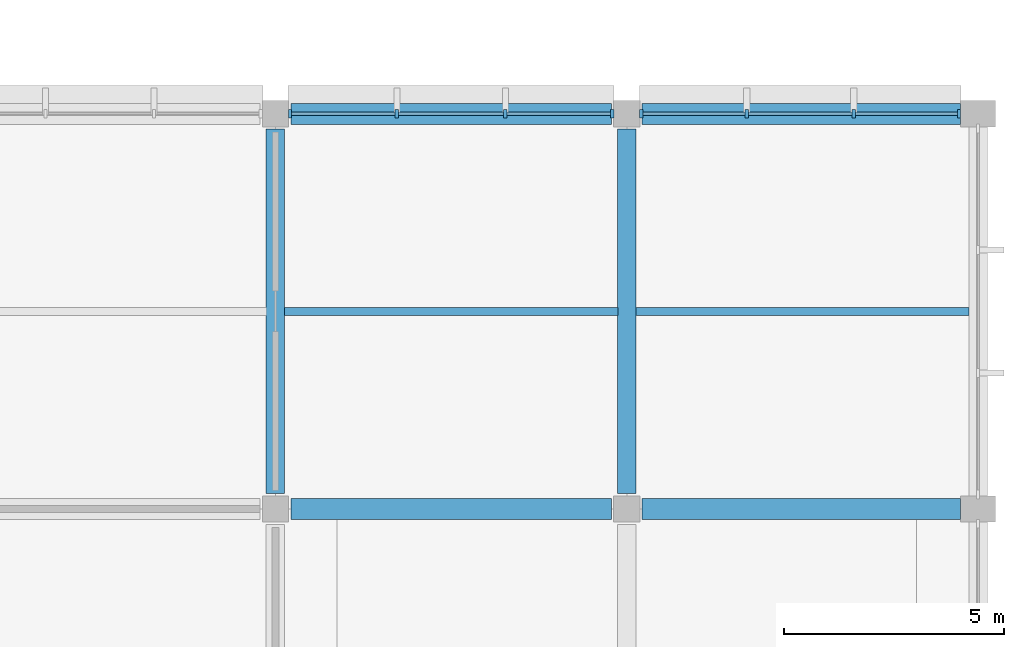
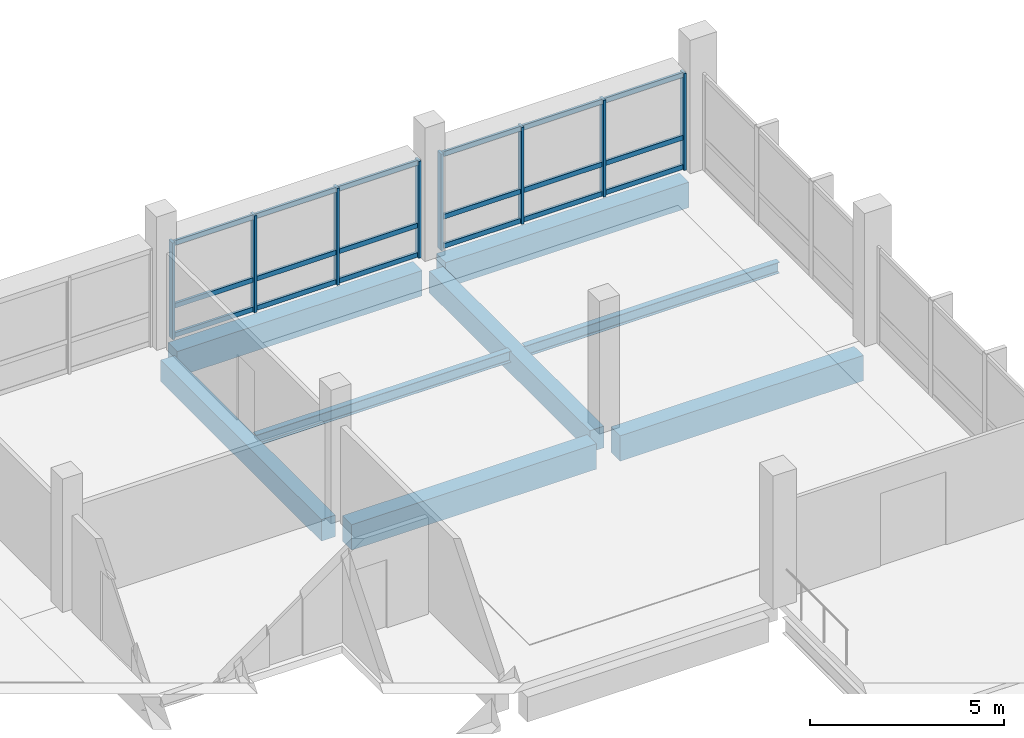
# One storey, part 29 of 57: 26 members, 8 beams, 2 elements without a shape of their own.
"""IFC4 building model written with IfcOpenShell, lengths in metres."""

from ifc_helpers import new_model, si_unit, direction, frame, origin, origin_2d, place, context, subcontext, project, spatial, rectangle, i_section, extrude, material, material_profile, profile_set, type_object, element, aggregate, save


model = new_model("IFC4")

# Units and contexts
model_context = context("Model", 3, precision=1e-05, world=origin(), true_north=direction((0.0, 1.0)))
body_context = subcontext(model_context, "Body", "Model", "MODEL_VIEW")
ifc_project = project(units=[si_unit("LENGTHUNIT", "METRE"), si_unit("AREAUNIT", "SQUARE_METRE"), si_unit("VOLUMEUNIT", "CUBIC_METRE"), si_unit("PLANEANGLEUNIT", "RADIAN"), si_unit("MASSUNIT", "GRAM", prefix="KILO"), si_unit("THERMODYNAMICTEMPERATUREUNIT", "KELVIN"), si_unit("POWERUNIT", "WATT")], contexts=[model_context])

# Site, building, storey
site_placement = place(None, origin())
site = spatial("IfcSite", under=ifc_project, at=site_placement, CompositionType="ELEMENT")
building_placement = place(site_placement, origin())
building = spatial("IfcBuilding", under=site, at=building_placement, Name="Kronsvod Quay Wholesale Market", CompositionType="ELEMENT")
storey_placement = place(building_placement, frame((0.0, 0.0, 4.800048828125)))
storey = spatial("IfcBuildingStorey", under=building, at=storey_placement, Name="L01", CompositionType="ELEMENT", Elevation=4.800048828125)

# Beams
ifc_material_1 = material(Name="Precast concrete C40/50", Category="concrete")
ifc_material_profile_1 = material_profile(ifc_material_1, rectangle(XDim=0.419921875, YDim=0.679931640625, at=origin_2d()), Name="PB-05")
ifc_profile_set_1 = profile_set([ifc_material_profile_1], Name="Precast concrete C40/50")
beam_type_1 = type_object("IfcBeamType", Name="Beam_PCB420x680", PredefinedType="BEAM", material=ifc_profile_set_1)
for number, where, z_axis, x_axis, name in (
    (1, (176.0, 99.35009765625, -0.64013671875), (0.0, 1.0, 0.0), (-1.0, 0.0, 0.0), "BMY-L01-1760-990"),
    (2, (184.0, 99.35009765625, -0.64013671875), (0.0, 1.0, 0.0), (-1.0, 0.0, 0.0), "BMY-L01-1840-990"),
):
    element("IfcBeam", number, at=place(storey_placement, frame(where, z_axis=z_axis, x_axis=x_axis)), inside=storey, type_object=beam_type_1, Name=name, PredefinedType="BEAM", context=body_context, shape_type="SweptSolid", body=[
        extrude(rectangle(XDim=0.419921875, YDim=0.679931640625, at=origin_2d()), origin(), (0.0, 0.0, 1.0), 8.2998046875),
    ])
ifc_material_2 = material(Name="Precast concrete C40/50", Category="concrete")
ifc_material_profile_2 = material_profile(ifc_material_2, rectangle(XDim=0.47998046875, YDim=0.800048828125, at=origin_2d()), Name="PB-04")
ifc_profile_set_2 = profile_set([ifc_material_profile_2], Name="Precast concrete C40/50")
beam_type_2 = type_object("IfcBeamType", Name="Beam_PCB480x800", PredefinedType="BEAM", material=ifc_profile_set_2)
beam_1_placement = place(storey_placement, frame((176.35009765625, 99.0, -0.699951171875), z_axis=(1.0, 0.0, 0.0), x_axis=(0.0, 1.0, 0.0)))
element("IfcBeam", 3, at=beam_1_placement, inside=storey, type_object=beam_type_2, Name="BMX-L01-1760-990", PredefinedType="BEAM", context=body_context, shape_type="SweptSolid", body=[
    extrude(rectangle(XDim=0.47998046875, YDim=0.800048828125, at=origin_2d()), origin(), (0.0, 0.0, 1.0), 7.2998046875),
])
beam_2_placement = place(storey_placement, frame((184.35009765625, 99.0, -0.699951171875), z_axis=(1.0, 0.0, 0.0), x_axis=(0.0, 1.0, 0.0)))
element("IfcBeam", 4, at=beam_2_placement, inside=storey, type_object=beam_type_2, Name="BMX-L01-1840-990", PredefinedType="BEAM", context=body_context, shape_type="SweptSolid", body=[
    extrude(rectangle(XDim=0.47998046875, YDim=0.800048828125, at=origin_2d()), origin(), (0.0, 0.0, 1.0), 7.25),
])
beam_3_placement = place(storey_placement, frame((176.35009765625, 108.0, -0.699951171875), z_axis=(1.0, 0.0, 0.0), x_axis=(0.0, 1.0, 0.0)))
element("IfcBeam", 5, at=beam_3_placement, inside=storey, type_object=beam_type_2, Name="BMX-L01-1760-1080", PredefinedType="BEAM", context=body_context, shape_type="SweptSolid", body=[
    extrude(rectangle(XDim=0.47998046875, YDim=0.800048828125, at=origin_2d()), origin(), (0.0, 0.0, 1.0), 7.2998046875),
])
beam_4_placement = place(storey_placement, frame((184.35009765625, 108.0, -0.699951171875), z_axis=(1.0, 0.0, 0.0), x_axis=(0.0, 1.0, 0.0)))
element("IfcBeam", 6, at=beam_4_placement, inside=storey, type_object=beam_type_2, Name="BMX-L01-1840-1080", PredefinedType="BEAM", context=body_context, shape_type="SweptSolid", body=[
    extrude(rectangle(XDim=0.47998046875, YDim=0.800048828125, at=origin_2d()), origin(), (0.0, 0.0, 1.0), 7.25),
])
ifc_material_3 = material(Name="Steel S355", Category="steel")
ifc_material_profile_3 = material_profile(ifc_material_3, i_section(OverallWidth=0.175048828125, OverallDepth=0.35009765625, WebThickness=0.007080078125, FlangeThickness=0.010986328125, FilletRadius=0.013916015625, at=origin_2d()), Name="35B2")
ifc_profile_set_3 = profile_set([ifc_material_profile_3], Name="Steel S355")
beam_type_3 = type_object("IfcBeamType", Name="Joist_Steel35B2", PredefinedType="JOIST", material=ifc_profile_set_3)
for number, where, z_axis, x_axis, name in (
    (7, (176.205078125, 103.5, -0.425048828125), (1.0, 0.0, 0.0), (0.0, 1.0, 0.0), "JSTX-L01-1760-990"),
    (8, (184.205078125, 103.5, -0.425048828125), (1.0, 0.0, 0.0), (0.0, 1.0, 0.0), "JSTX-L01-1840-990"),
):
    element("IfcBeam", number, at=place(storey_placement, frame(where, z_axis=z_axis, x_axis=x_axis)), inside=storey, type_object=beam_type_3, Name=name, PredefinedType="JOIST", context=body_context, shape_type="SweptSolid", body=[
        extrude(i_section(OverallWidth=0.175048828125, OverallDepth=0.35009765625, WebThickness=0.007080078125, FlangeThickness=0.010986328125, FilletRadius=0.013916015625, at=origin_2d()), origin(), (0.0, 0.0, 1.0), 7.58984375),
    ])

# Curtain wall, members
ifc_material_4 = material(Name="Thermally broken aluminium and triple low-E glazing", Category="aluminium")
curtain_wall_type = type_object("IfcCurtainWallType", Name="CW_Forecourt80x33", PredefinedType="NOTDEFINED", material=ifc_material_4)
curtain_wall_1_placement = place(storey_placement, origin())
curtain_wall_1 = element("IfcCurtainWall", 9, at=curtain_wall_1_placement, inside=storey, type_object=curtain_wall_type, Name="CWGX-L01-1760-1080", PredefinedType="NOTDEFINED")
ifc_material_5 = material(Name="Anodised aluminium", Category="aluminium")
ifc_material_profile_4 = material_profile(ifc_material_5, rectangle(XDim=0.074951171875, YDim=0.199951171875, at=origin_2d()), Name="ALUM75x200")
ifc_profile_set_4 = profile_set([ifc_material_profile_4], Name="Anodised aluminium")
member_type_1 = type_object("IfcMemberType", Name="Mullion_ALU75x200", PredefinedType="MULLION", material=ifc_profile_set_4)
member_1_placement = place(storey_placement, frame((183.66748046875, 108.0, 0.0), z_axis=(0.0, 0.0, 1.0), x_axis=(1.0, 0.0, 0.0)))
member_1 = element("IfcMember", 10, at=member_1_placement, type_object=member_type_1, Name="CWGX-L01-1760-1080-M1", PredefinedType="MULLION", context=body_context, shape_type="SweptSolid", body=[
    extrude(rectangle(XDim=0.074951171875, YDim=0.199951171875, at=origin_2d()), origin(), (0.0, 0.0, 1.0), 3.050048828125),
])
member_2_placement = place(storey_placement, frame((181.235107421875, 108.0, 0.0), z_axis=(0.0, 0.0, 1.0), x_axis=(1.0, 0.0, 0.0)))
member_2 = element("IfcMember", 11, at=member_2_placement, type_object=member_type_1, Name="CWGX-L01-1760-1080-M2", PredefinedType="MULLION", context=body_context, shape_type="SweptSolid", body=[
    extrude(rectangle(XDim=0.074951171875, YDim=0.199951171875, at=origin_2d()), origin(), (0.0, 0.0, 1.0), 3.050048828125),
])
member_3_placement = place(storey_placement, frame((178.764892578125, 108.0, 0.0), z_axis=(0.0, 0.0, 1.0), x_axis=(1.0, 0.0, 0.0)))
member_3 = element("IfcMember", 12, at=member_3_placement, type_object=member_type_1, Name="CWGX-L01-1760-1080-M3", PredefinedType="MULLION", context=body_context, shape_type="SweptSolid", body=[
    extrude(rectangle(XDim=0.074951171875, YDim=0.199951171875, at=origin_2d()), origin(), (0.0, 0.0, 1.0), 3.050048828125),
])
member_4_placement = place(storey_placement, frame((176.33251953125, 108.0, 0.0), z_axis=(0.0, 0.0, 1.0), x_axis=(1.0, 0.0, 0.0)))
member_4 = element("IfcMember", 13, at=member_4_placement, type_object=member_type_1, Name="CWGX-L01-1760-1080-M4", PredefinedType="MULLION", context=body_context, shape_type="SweptSolid", body=[
    extrude(rectangle(XDim=0.074951171875, YDim=0.199951171875, at=origin_2d()), origin(), (0.0, 0.0, 1.0), 3.050048828125),
])

curtain_wall_2_placement = place(storey_placement, origin())
curtain_wall_2 = element("IfcCurtainWall", 14, at=curtain_wall_2_placement, inside=storey, type_object=curtain_wall_type, Name="CWGX-L01-1840-1080", PredefinedType="NOTDEFINED")
member_5_placement = place(storey_placement, frame((191.5673828125, 108.0, 0.0), z_axis=(0.0, 0.0, 1.0), x_axis=(1.0, 0.0, 0.0)))
member_5 = element("IfcMember", 15, at=member_5_placement, type_object=member_type_1, Name="CWGX-L01-1840-1080-M1", PredefinedType="MULLION", context=body_context, shape_type="SweptSolid", body=[
    extrude(rectangle(XDim=0.074951171875, YDim=0.199951171875, at=origin_2d()), origin(), (0.0, 0.0, 1.0), 3.050048828125),
])
member_6_placement = place(storey_placement, frame((189.168212890625, 108.0, 0.0), z_axis=(0.0, 0.0, 1.0), x_axis=(1.0, 0.0, 0.0)))
member_6 = element("IfcMember", 16, at=member_6_placement, type_object=member_type_1, Name="CWGX-L01-1840-1080-M2", PredefinedType="MULLION", context=body_context, shape_type="SweptSolid", body=[
    extrude(rectangle(XDim=0.074951171875, YDim=0.199951171875, at=origin_2d()), origin(), (0.0, 0.0, 1.0), 3.050048828125),
])
member_7_placement = place(storey_placement, frame((186.731689453125, 108.0, 0.0), z_axis=(0.0, 0.0, 1.0), x_axis=(1.0, 0.0, 0.0)))
member_7 = element("IfcMember", 17, at=member_7_placement, type_object=member_type_1, Name="CWGX-L01-1840-1080-M3", PredefinedType="MULLION", context=body_context, shape_type="SweptSolid", body=[
    extrude(rectangle(XDim=0.074951171875, YDim=0.199951171875, at=origin_2d()), origin(), (0.0, 0.0, 1.0), 3.050048828125),
])
member_8_placement = place(storey_placement, frame((184.33251953125, 108.0, 0.0), z_axis=(0.0, 0.0, 1.0), x_axis=(1.0, 0.0, 0.0)))
member_8 = element("IfcMember", 18, at=member_8_placement, type_object=member_type_1, Name="CWGX-L01-1840-1080-M4", PredefinedType="MULLION", context=body_context, shape_type="SweptSolid", body=[
    extrude(rectangle(XDim=0.074951171875, YDim=0.199951171875, at=origin_2d()), origin(), (0.0, 0.0, 1.0), 3.050048828125),
])

# Member
ifc_material_6 = material(Name="Anodised aluminium", Category="aluminium")
ifc_material_profile_5 = material_profile(ifc_material_6, rectangle(XDim=0.074951171875, YDim=0.14990234375, at=origin_2d()), Name="ALUT75x150")
ifc_profile_set_5 = profile_set([ifc_material_profile_5], Name="Anodised aluminium")
member_type_2 = type_object("IfcMemberType", Name="Transom_ALU75x150", PredefinedType="USERDEFINED", material=ifc_profile_set_5)
member_9_placement = place(storey_placement, frame((183.6298828125, 108.0, 0.074951171875), z_axis=(-1.0, 0.0, 0.0), x_axis=(0.0, -1.0, 0.0)))
member_9 = element("IfcMember", 19, at=member_9_placement, type_object=member_type_2, Name="CWGX-L01-1760-1080-T1B1", ObjectType="TRANSOM", PredefinedType="USERDEFINED", context=body_context, shape_type="SweptSolid", body=[
    extrude(rectangle(XDim=0.074951171875, YDim=0.14990234375, at=origin_2d()), origin(), (0.0, 0.0, 1.0), 2.357421875),
])

member_10_placement = place(storey_placement, frame((181.197509765625, 108.0, 0.074951171875), z_axis=(-1.0, 0.0, 0.0), x_axis=(0.0, -1.0, 0.0)))
member_10 = element("IfcMember", 20, at=member_10_placement, type_object=member_type_2, Name="CWGX-L01-1760-1080-T1B2", ObjectType="TRANSOM", PredefinedType="USERDEFINED", context=body_context, shape_type="SweptSolid", body=[
    extrude(rectangle(XDim=0.074951171875, YDim=0.14990234375, at=origin_2d()), origin(), (0.0, 0.0, 1.0), 2.39501953125),
])

member_11_placement = place(storey_placement, frame((178.7275390625, 108.0, 0.074951171875), z_axis=(-1.0, 0.0, 0.0), x_axis=(0.0, -1.0, 0.0)))
member_11 = element("IfcMember", 21, at=member_11_placement, type_object=member_type_2, Name="CWGX-L01-1760-1080-T1B3", ObjectType="TRANSOM", PredefinedType="USERDEFINED", context=body_context, shape_type="SweptSolid", body=[
    extrude(rectangle(XDim=0.074951171875, YDim=0.14990234375, at=origin_2d()), origin(), (0.0, 0.0, 1.0), 2.357421875),
])

member_12_placement = place(storey_placement, frame((183.6298828125, 108.0, 1.0), z_axis=(-1.0, 0.0, 0.0), x_axis=(0.0, -1.0, 0.0)))
member_12 = element("IfcMember", 22, at=member_12_placement, type_object=member_type_2, Name="CWGX-L01-1760-1080-T2B1", ObjectType="TRANSOM", PredefinedType="USERDEFINED", context=body_context, shape_type="SweptSolid", body=[
    extrude(rectangle(XDim=0.074951171875, YDim=0.14990234375, at=origin_2d()), origin(), (0.0, 0.0, 1.0), 2.357421875),
])

member_13_placement = place(storey_placement, frame((181.197509765625, 108.0, 1.0), z_axis=(-1.0, 0.0, 0.0), x_axis=(0.0, -1.0, 0.0)))
member_13 = element("IfcMember", 23, at=member_13_placement, type_object=member_type_2, Name="CWGX-L01-1760-1080-T2B2", ObjectType="TRANSOM", PredefinedType="USERDEFINED", context=body_context, shape_type="SweptSolid", body=[
    extrude(rectangle(XDim=0.074951171875, YDim=0.14990234375, at=origin_2d()), origin(), (0.0, 0.0, 1.0), 2.39501953125),
])

member_14_placement = place(storey_placement, frame((178.7275390625, 108.0, 1.0), z_axis=(-1.0, 0.0, 0.0), x_axis=(0.0, -1.0, 0.0)))
member_14 = element("IfcMember", 24, at=member_14_placement, type_object=member_type_2, Name="CWGX-L01-1760-1080-T2B3", ObjectType="TRANSOM", PredefinedType="USERDEFINED", context=body_context, shape_type="SweptSolid", body=[
    extrude(rectangle(XDim=0.074951171875, YDim=0.14990234375, at=origin_2d()), origin(), (0.0, 0.0, 1.0), 2.357421875),
])

member_15_placement = place(storey_placement, frame((183.6298828125, 108.0, 2.974853515625), z_axis=(-1.0, 0.0, 0.0), x_axis=(0.0, -1.0, 0.0)))
member_15 = element("IfcMember", 25, at=member_15_placement, type_object=member_type_2, Name="CWGX-L01-1760-1080-T3B1", ObjectType="TRANSOM", PredefinedType="USERDEFINED", context=body_context, shape_type="SweptSolid", body=[
    extrude(rectangle(XDim=0.074951171875, YDim=0.14990234375, at=origin_2d()), origin(), (0.0, 0.0, 1.0), 2.357421875),
])

member_16_placement = place(storey_placement, frame((181.197509765625, 108.0, 2.974853515625), z_axis=(-1.0, 0.0, 0.0), x_axis=(0.0, -1.0, 0.0)))
member_16 = element("IfcMember", 26, at=member_16_placement, type_object=member_type_2, Name="CWGX-L01-1760-1080-T3B2", ObjectType="TRANSOM", PredefinedType="USERDEFINED", context=body_context, shape_type="SweptSolid", body=[
    extrude(rectangle(XDim=0.074951171875, YDim=0.14990234375, at=origin_2d()), origin(), (0.0, 0.0, 1.0), 2.39501953125),
])

member_17_placement = place(storey_placement, frame((178.7275390625, 108.0, 2.974853515625), z_axis=(-1.0, 0.0, 0.0), x_axis=(0.0, -1.0, 0.0)))
member_17 = element("IfcMember", 27, at=member_17_placement, type_object=member_type_2, Name="CWGX-L01-1760-1080-T3B3", ObjectType="TRANSOM", PredefinedType="USERDEFINED", context=body_context, shape_type="SweptSolid", body=[
    extrude(rectangle(XDim=0.074951171875, YDim=0.14990234375, at=origin_2d()), origin(), (0.0, 0.0, 1.0), 2.357421875),
])

aggregate(curtain_wall_1, [member_1, member_2, member_3, member_4, member_9, member_10, member_11, member_12, member_13, member_14, member_15, member_16, member_17])

member_18_placement = place(storey_placement, frame((191.530029296875, 108.0, 0.074951171875), z_axis=(-1.0, 0.0, 0.0), x_axis=(0.0, -1.0, 0.0)))
member_18 = element("IfcMember", 28, at=member_18_placement, type_object=member_type_2, Name="CWGX-L01-1840-1080-T1B1", ObjectType="TRANSOM", PredefinedType="USERDEFINED", context=body_context, shape_type="SweptSolid", body=[
    extrude(rectangle(XDim=0.074951171875, YDim=0.14990234375, at=origin_2d()), origin(), (0.0, 0.0, 1.0), 2.32421875),
])

member_19_placement = place(storey_placement, frame((189.130859375, 108.0, 0.074951171875), z_axis=(-1.0, 0.0, 0.0), x_axis=(0.0, -1.0, 0.0)))
member_19 = element("IfcMember", 29, at=member_19_placement, type_object=member_type_2, Name="CWGX-L01-1840-1080-T1B2", ObjectType="TRANSOM", PredefinedType="USERDEFINED", context=body_context, shape_type="SweptSolid", body=[
    extrude(rectangle(XDim=0.074951171875, YDim=0.14990234375, at=origin_2d()), origin(), (0.0, 0.0, 1.0), 2.361572265625),
])

member_20_placement = place(storey_placement, frame((186.694091796875, 108.0, 0.074951171875), z_axis=(-1.0, 0.0, 0.0), x_axis=(0.0, -1.0, 0.0)))
member_20 = element("IfcMember", 30, at=member_20_placement, type_object=member_type_2, Name="CWGX-L01-1840-1080-T1B3", ObjectType="TRANSOM", PredefinedType="USERDEFINED", context=body_context, shape_type="SweptSolid", body=[
    extrude(rectangle(XDim=0.074951171875, YDim=0.14990234375, at=origin_2d()), origin(), (0.0, 0.0, 1.0), 2.323974609375),
])

member_21_placement = place(storey_placement, frame((191.530029296875, 108.0, 1.0), z_axis=(-1.0, 0.0, 0.0), x_axis=(0.0, -1.0, 0.0)))
member_21 = element("IfcMember", 31, at=member_21_placement, type_object=member_type_2, Name="CWGX-L01-1840-1080-T2B1", ObjectType="TRANSOM", PredefinedType="USERDEFINED", context=body_context, shape_type="SweptSolid", body=[
    extrude(rectangle(XDim=0.074951171875, YDim=0.14990234375, at=origin_2d()), origin(), (0.0, 0.0, 1.0), 2.32421875),
])

member_22_placement = place(storey_placement, frame((189.130859375, 108.0, 1.0), z_axis=(-1.0, 0.0, 0.0), x_axis=(0.0, -1.0, 0.0)))
member_22 = element("IfcMember", 32, at=member_22_placement, type_object=member_type_2, Name="CWGX-L01-1840-1080-T2B2", ObjectType="TRANSOM", PredefinedType="USERDEFINED", context=body_context, shape_type="SweptSolid", body=[
    extrude(rectangle(XDim=0.074951171875, YDim=0.14990234375, at=origin_2d()), origin(), (0.0, 0.0, 1.0), 2.361572265625),
])

member_23_placement = place(storey_placement, frame((186.694091796875, 108.0, 1.0), z_axis=(-1.0, 0.0, 0.0), x_axis=(0.0, -1.0, 0.0)))
member_23 = element("IfcMember", 33, at=member_23_placement, type_object=member_type_2, Name="CWGX-L01-1840-1080-T2B3", ObjectType="TRANSOM", PredefinedType="USERDEFINED", context=body_context, shape_type="SweptSolid", body=[
    extrude(rectangle(XDim=0.074951171875, YDim=0.14990234375, at=origin_2d()), origin(), (0.0, 0.0, 1.0), 2.323974609375),
])

member_24_placement = place(storey_placement, frame((191.530029296875, 108.0, 2.974853515625), z_axis=(-1.0, 0.0, 0.0), x_axis=(0.0, -1.0, 0.0)))
member_24 = element("IfcMember", 34, at=member_24_placement, type_object=member_type_2, Name="CWGX-L01-1840-1080-T3B1", ObjectType="TRANSOM", PredefinedType="USERDEFINED", context=body_context, shape_type="SweptSolid", body=[
    extrude(rectangle(XDim=0.074951171875, YDim=0.14990234375, at=origin_2d()), origin(), (0.0, 0.0, 1.0), 2.32421875),
])

member_25_placement = place(storey_placement, frame((189.130859375, 108.0, 2.974853515625), z_axis=(-1.0, 0.0, 0.0), x_axis=(0.0, -1.0, 0.0)))
member_25 = element("IfcMember", 35, at=member_25_placement, type_object=member_type_2, Name="CWGX-L01-1840-1080-T3B2", ObjectType="TRANSOM", PredefinedType="USERDEFINED", context=body_context, shape_type="SweptSolid", body=[
    extrude(rectangle(XDim=0.074951171875, YDim=0.14990234375, at=origin_2d()), origin(), (0.0, 0.0, 1.0), 2.361572265625),
])

member_26_placement = place(storey_placement, frame((186.694091796875, 108.0, 2.974853515625), z_axis=(-1.0, 0.0, 0.0), x_axis=(0.0, -1.0, 0.0)))
member_26 = element("IfcMember", 36, at=member_26_placement, type_object=member_type_2, Name="CWGX-L01-1840-1080-T3B3", ObjectType="TRANSOM", PredefinedType="USERDEFINED", context=body_context, shape_type="SweptSolid", body=[
    extrude(rectangle(XDim=0.074951171875, YDim=0.14990234375, at=origin_2d()), origin(), (0.0, 0.0, 1.0), 2.323974609375),
])

aggregate(curtain_wall_2, [member_5, member_6, member_7, member_8, member_18, member_19, member_20, member_21, member_22, member_23, member_24, member_25, member_26])

save(model, "model.ifc")
